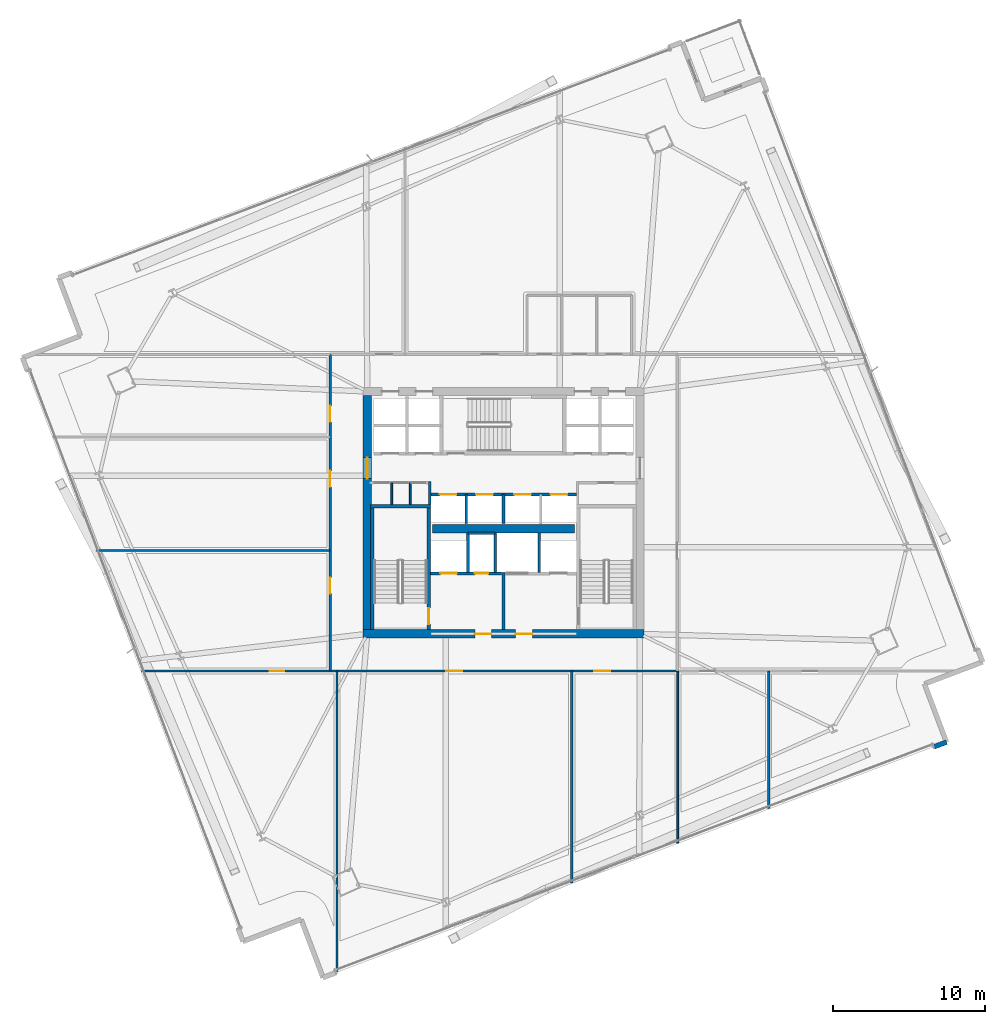
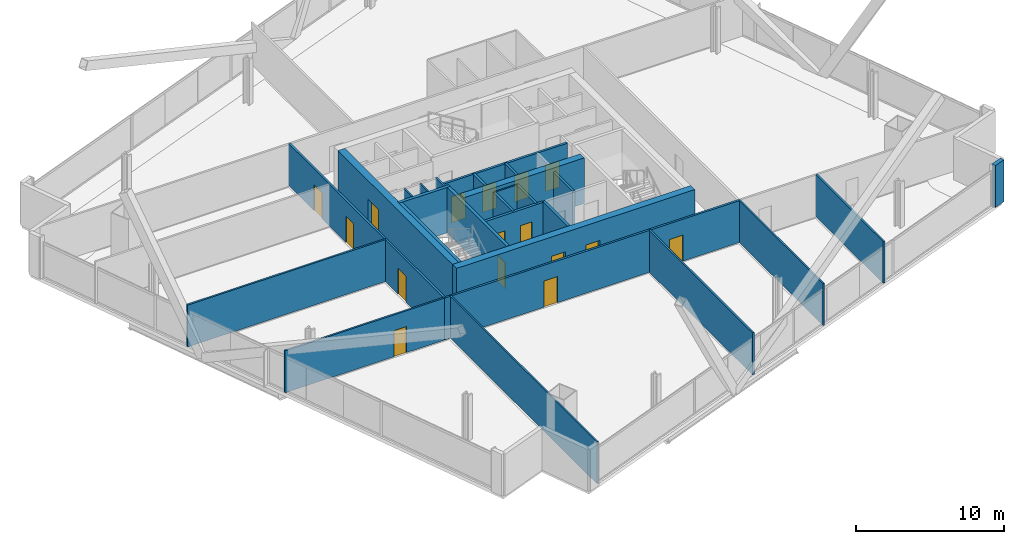
# One storey, part 29 of 37: 27 walls, 16 doors, 16 openings.
"""IFC4 building model written with IfcOpenShell, lengths in metres."""

from ifc_helpers import new_model, si_unit, direction, frame, frame_2d, origin, place, context, subcontext, project, spatial, rectangle, extrude, material, layer, layer_set, type_object, element, fill, save


model = new_model("IFC4")

# Units and contexts
model_context = context("Model", 3, precision=1e-05, world=origin(), true_north=direction((0.0, 1.0)))
body_context = subcontext(model_context, "Body", "Model", "MODEL_VIEW")
ifc_project = project(units=[si_unit("LENGTHUNIT", "METRE"), si_unit("AREAUNIT", "SQUARE_METRE"), si_unit("VOLUMEUNIT", "CUBIC_METRE"), si_unit("PLANEANGLEUNIT", "RADIAN"), si_unit("MASSUNIT", "GRAM", prefix="KILO")], contexts=[model_context])

# Site, building, storey
site_placement = place(None, origin())
site = spatial("IfcSite", under=ifc_project, at=site_placement, CompositionType="ELEMENT")
building_placement = place(site_placement, origin())
building = spatial("IfcBuilding", under=site, at=building_placement, Name="Haldenkirk Collegiate Tower", CompositionType="ELEMENT")
storey_placement = place(building_placement, frame((0.0, 0.0, 97.949951171875)))
storey = spatial("IfcBuildingStorey", under=building, at=storey_placement, Name="L23", CompositionType="ELEMENT", Elevation=97.949951171875)

# Wall, openings, doors
ifc_material_1 = material(Name="Concrete f'c 70 MPa", Category="concrete")
ifc_layer_1 = layer(ifc_material_1, 0.550048828125)
ifc_layer_set_1 = layer_set([ifc_layer_1], Name="Concrete f'c 70 MPa")
wall_type_1 = type_object("IfcWallType", Name="WL-CORE-550", PredefinedType="SHEAR", material=ifc_layer_set_1)
wall_1_placement = place(storey_placement, frame((26.72509765625, 18.0, 0.0), z_axis=(0.0, 0.0, 1.0), x_axis=(1.0, 0.0, 0.0)))
wall_1 = element("IfcWall", 1, at=wall_1_placement, inside=storey, type_object=wall_type_1, Name="L23 central core shear wall S", PredefinedType="SHEAR", context=body_context, shape_type="SweptSolid", body=[
    extrude(rectangle(XDim=18.5498046875, YDim=0.550048828125, at=frame_2d((9.27490234375, 0.0))), origin(), (0.0, 0.0, 1.0), 3.75),
])
opening_1_placement = place(wall_1_placement, frame((7.375, 0.0, 0.0)))
opening_1 = element("IfcOpeningElement", 2, at=opening_1_placement, cuts=wall_1, Name="Opening D-02", PredefinedType="OPENING", context=body_context, shape_type="SweptSolid", body=[
    extrude(rectangle(XDim=1.10009765625, YDim=2.14990234375, at=frame_2d((0.550048828125, 1.074951171875))), frame((0.0, 0.284912109375, 0.0), z_axis=(0.0, -1.0, 0.0), x_axis=(1.0, 0.0, 0.0)), (0.0, 0.0, 1.0), 0.570068359375),
])
opening_2_placement = place(wall_1_placement, frame((10.074951171875, 0.0, 0.0)))
opening_2 = element("IfcOpeningElement", 3, at=opening_2_placement, cuts=wall_1, Name="Opening D-02", PredefinedType="OPENING", context=body_context, shape_type="SweptSolid", body=[
    extrude(rectangle(XDim=1.10009765625, YDim=2.14990234375, at=frame_2d((0.550048828125, 1.074951171875))), frame((0.0, 0.284912109375, 0.0), z_axis=(0.0, -1.0, 0.0), x_axis=(1.0, 0.0, 0.0)), (0.0, 0.0, 1.0), 0.570068359375),
])
ifc_material_2 = material(Name="Galvanized fire-rated hollow steel door", Category="steel")
ifc_layer_2 = layer(ifc_material_2, 0.06005859375)
ifc_layer_set_2 = layer_set([ifc_layer_2], Name="Galvanized fire-rated hollow steel door")
door_type_1 = type_object("IfcDoorType", Name="DR-STAIR-FD90-1100", OperationType="NOTDEFINED", PredefinedType="DOOR", material=ifc_layer_set_2)
door_1_placement = place(opening_1_placement, origin())
door_1 = element("IfcDoor", 4, at=door_1_placement, inside=storey, type_object=door_type_1, Name="L23 Firefighting Lobby 1 door", OperationType="SINGLE_SWING_LEFT", OverallHeight=2.14990234375, OverallWidth=1.10009765625, PredefinedType="DOOR", context=body_context, shape_type="SweptSolid", body=[
    extrude(rectangle(XDim=1.10009765625, YDim=2.14990234375, at=frame_2d((0.550048828125, 1.074951171875))), frame((0.0, 0.02490234375, 0.0), z_axis=(0.0, -1.0, 0.0), x_axis=(1.0, 0.0, 0.0)), (0.0, 0.0, 1.0), 0.050048828125),
])
fill(opening_1, door_1)
door_2_placement = place(opening_2_placement, origin())
door_2 = element("IfcDoor", 5, at=door_2_placement, inside=storey, type_object=door_type_1, Name="L23 Firefighting Lobby 2 door", OperationType="SINGLE_SWING_RIGHT", OverallHeight=2.14990234375, OverallWidth=1.10009765625, PredefinedType="DOOR", context=body_context, shape_type="SweptSolid", body=[
    extrude(rectangle(XDim=1.10009765625, YDim=2.14990234375, at=frame_2d((0.550048828125, 1.074951171875))), frame((0.0, 0.02490234375, 0.0), z_axis=(0.0, -1.0, 0.0), x_axis=(1.0, 0.0, 0.0)), (0.0, 0.0, 1.0), 0.050048828125),
])
fill(opening_2, door_2)

# Wall, opening, door
wall_2_placement = place(storey_placement, frame((27.0, 18.27490234375, 0.0), z_axis=(0.0, 0.0, 1.0), x_axis=(0.0, 1.0, 0.0)))
wall_2 = element("IfcWall", 6, at=wall_2_placement, inside=storey, type_object=wall_type_1, Name="L23 central core shear wall W", PredefinedType="SHEAR", context=body_context, shape_type="SweptSolid", body=[
    extrude(rectangle(XDim=15.4501953125, YDim=0.550048828125, at=frame_2d((7.72509765625, 0.0))), origin(), (0.0, 0.0, 1.0), 3.75),
])
opening_3_placement = place(wall_2_placement, frame((9.965087890625, 0.0, 0.0)))
opening_3 = element("IfcOpeningElement", 7, at=opening_3_placement, cuts=wall_2, Name="Opening D-03", PredefinedType="OPENING", context=body_context, shape_type="SweptSolid", body=[
    extrude(rectangle(XDim=1.39990234375, YDim=2.199951171875, at=frame_2d((0.699951171875, 1.10009765625))), frame((0.0, 0.284912109375, 0.0), z_axis=(0.0, -1.0, 0.0), x_axis=(1.0, 0.0, 0.0)), (0.0, 0.0, 1.0), 0.570068359375),
])
ifc_layer_3 = layer(ifc_material_2, 0.06005859375)
ifc_layer_set_3 = layer_set([ifc_layer_3], Name="Galvanized fire-rated hollow steel door")
door_type_2 = type_object("IfcDoorType", Name="DR-LOBBY-FD90-1400", OperationType="NOTDEFINED", PredefinedType="DOOR", material=ifc_layer_set_3)
door_3_placement = place(opening_3_placement, origin())
door_3 = element("IfcDoor", 8, at=door_3_placement, inside=storey, type_object=door_type_2, Name="L23 west lift lobby portal", OperationType="DOUBLE_DOOR_SINGLE_SWING", OverallHeight=2.199951171875, OverallWidth=1.39990234375, PredefinedType="DOOR", context=body_context, shape_type="SweptSolid", body=[
    extrude(rectangle(XDim=1.39990234375, YDim=2.199951171875, at=frame_2d((0.699951171875, 1.10009765625))), frame((0.0, 0.02490234375, 0.0), z_axis=(0.0, -1.0, 0.0), x_axis=(1.0, 0.0, 0.0)), (0.0, 0.0, 1.0), 0.050048828125),
])
fill(opening_3, door_3)

# Walls
wall_3_placement = place(storey_placement, frame((31.31005859375, 24.949951171875, 0.0), z_axis=(0.0, 0.0, 1.0), x_axis=(1.0, 0.0, 0.0)))
element("IfcWall", 9, at=wall_3_placement, inside=storey, type_object=wall_type_1, Name="L23 central core spine shear wall", PredefinedType="SHEAR", context=body_context, shape_type="SweptSolid", body=[
    extrude(rectangle(XDim=9.3798828125, YDim=0.550048828125, at=frame_2d((4.68994140625, 0.0))), origin(), (0.0, 0.0, 1.0), 3.75),
])
ifc_material_3 = material(Name="Precast concrete f'c 40 MPa", Category="concrete")
ifc_layer_4 = layer(ifc_material_3, 0.320068359375)
ifc_layer_set_4 = layer_set([ifc_layer_4], Name="Precast concrete f'c 40 MPa")
wall_type_2 = type_object("IfcWallType", Name="WL-EXT-TWR-320", PredefinedType="STANDARD", material=ifc_layer_set_4)
wall_4_placement = place(storey_placement, frame((65.239990234375, 10.858154296875, 0.0), z_axis=(0.0, 0.0, 1.0), x_axis=(-0.935468108396, -0.353411117785, 0.0)))
element("IfcWall", 10, at=wall_4_placement, inside=storey, type_object=wall_type_2, Name="L23 precast corner pier SL", PredefinedType="STANDARD", context=body_context, shape_type="SweptSolid", body=[
    extrude(rectangle(XDim=0.900146484375, YDim=0.320068359375, at=frame_2d((0.4501953125, 0.0))), origin(), (0.0, 0.0, 1.0), 3.449951171875),
])
ifc_material_4 = material(Name="Acoustic fire-rated gypsum partition", Category="concrete")
ifc_layer_5 = layer(ifc_material_4, 0.159912109375)
ifc_layer_set_5 = layer_set([ifc_layer_5], Name="Acoustic fire-rated gypsum partition")
wall_type_3 = type_object("IfcWallType", Name="WL-INT-CORR-160", PredefinedType="PARTITIONING", material=ifc_layer_set_5)
wall_5_placement = place(storey_placement, frame((31.1201171875, 26.5400390625, 0.0), z_axis=(0.0, 0.0, 1.0), x_axis=(0.0, 1.0, 0.0)))
element("IfcWall", 11, at=wall_5_placement, inside=storey, type_object=wall_type_3, Name="L23 interior partition IW-L23-VCSW-E", PredefinedType="PARTITIONING", context=body_context, shape_type="SweptSolid", body=[
    extrude(rectangle(XDim=1.510009765625, YDim=0.159912109375, at=frame_2d((0.7548828125, 0.0))), origin(), (0.0, 0.0, 1.0), 3.449951171875),
])

# Wall, openings, doors
wall_6_placement = place(storey_placement, frame((24.5, 15.550048828125, 0.0), z_axis=(0.0, 0.0, 1.0), x_axis=(1.0, 0.0, 0.0)))
wall_6 = element("IfcWall", 12, at=wall_6_placement, inside=storey, type_object=wall_type_3, Name="L23 interior partition IW-L23-CS", PredefinedType="PARTITIONING", context=body_context, shape_type="SweptSolid", body=[
    extrude(rectangle(XDim=23.0, YDim=0.159912109375, at=frame_2d((11.5, 0.0))), origin(), (0.0, 0.0, 1.0), 3.449951171875),
])
opening_4_placement = place(wall_6_placement, frame((7.72509765625, 0.0, 0.0)))
opening_4 = element("IfcOpeningElement", 13, at=opening_4_placement, cuts=wall_6, Name="Opening D-09", PredefinedType="OPENING", context=body_context, shape_type="SweptSolid", body=[
    extrude(rectangle(XDim=1.050048828125, YDim=2.14990234375, at=frame_2d((0.52490234375, 1.074951171875))), frame((0.0, 0.08984375, 0.0), z_axis=(0.0, -1.0, 0.0), x_axis=(1.0, 0.0, 0.0)), (0.0, 0.0, 1.0), 0.179931640625),
])
opening_5_placement = place(wall_6_placement, frame((17.489013671875, 0.0, 0.0)))
opening_5 = element("IfcOpeningElement", 14, at=opening_5_placement, cuts=wall_6, Name="Opening D-09", PredefinedType="OPENING", context=body_context, shape_type="SweptSolid", body=[
    extrude(rectangle(XDim=1.050048828125, YDim=2.14990234375, at=frame_2d((0.52490234375, 1.074951171875))), frame((0.0, 0.08984375, 0.0), z_axis=(0.0, -1.0, 0.0), x_axis=(1.0, 0.0, 0.0)), (0.0, 0.0, 1.0), 0.179931640625),
])
ifc_material_5 = material(Name="Solid-core architectural oak fire door", Category="wood")
ifc_layer_6 = layer(ifc_material_5, 0.06005859375)
ifc_layer_set_6 = layer_set([ifc_layer_6], Name="Solid-core architectural oak fire door")
door_type_3 = type_object("IfcDoorType", Name="DR-INT-FD60-1050", OperationType="NOTDEFINED", PredefinedType="DOOR", material=ifc_layer_set_6)
door_4_placement = place(opening_4_placement, origin())
door_4 = element("IfcDoor", 15, at=door_4_placement, inside=storey, type_object=door_type_3, Name="L23 Research Office 2 door", OperationType="SINGLE_SWING_RIGHT", OverallHeight=2.14990234375, OverallWidth=1.050048828125, PredefinedType="DOOR", context=body_context, shape_type="SweptSolid", body=[
    extrude(rectangle(XDim=1.050048828125, YDim=2.14990234375, at=frame_2d((0.52490234375, 1.074951171875))), frame((0.0, 0.02490234375, 0.0), z_axis=(0.0, -1.0, 0.0), x_axis=(1.0, 0.0, 0.0)), (0.0, 0.0, 1.0), 0.050048828125),
])
fill(opening_4, door_4)
door_5_placement = place(opening_5_placement, origin())
door_5 = element("IfcDoor", 16, at=door_5_placement, inside=storey, type_object=door_type_3, Name="L23 Senior Fellow Office 3 door", OperationType="SINGLE_SWING_LEFT", OverallHeight=2.14990234375, OverallWidth=1.050048828125, PredefinedType="DOOR", context=body_context, shape_type="SweptSolid", body=[
    extrude(rectangle(XDim=1.050048828125, YDim=2.14990234375, at=frame_2d((0.52490234375, 1.074951171875))), frame((0.0, 0.02490234375, 0.0), z_axis=(0.0, -1.0, 0.0), x_axis=(1.0, 0.0, 0.0)), (0.0, 0.0, 1.0), 0.050048828125),
])
fill(opening_5, door_5)

wall_7_placement = place(storey_placement, frame((24.550048828125, 15.550048828125, 0.0), z_axis=(0.0, 0.0, 1.0), x_axis=(0.0, 1.0, 0.0)))
wall_7 = element("IfcWall", 17, at=wall_7_placement, inside=storey, type_object=wall_type_3, Name="L23 interior partition IW-L23-CW", PredefinedType="PARTITIONING", context=body_context, shape_type="SweptSolid", body=[
    extrude(rectangle(XDim=20.89990234375, YDim=0.159912109375, at=frame_2d((10.449951171875, 0.0))), origin(), (0.0, 0.0, 1.0), 3.449951171875),
])
opening_6_placement = place(wall_7_placement, frame((5.10693359375, 0.0, 0.0)))
opening_6 = element("IfcOpeningElement", 18, at=opening_6_placement, cuts=wall_7, Name="Opening D-09", PredefinedType="OPENING", context=body_context, shape_type="SweptSolid", body=[
    extrude(rectangle(XDim=1.050048828125, YDim=2.14990234375, at=frame_2d((0.52490234375, 1.074951171875))), frame((0.0, 0.08984375, 0.0), z_axis=(0.0, -1.0, 0.0), x_axis=(1.0, 0.0, 0.0)), (0.0, 0.0, 1.0), 0.179931640625),
])
opening_7_placement = place(wall_7_placement, frame((12.155029296875, 0.0, 0.0)))
opening_7 = element("IfcOpeningElement", 19, at=opening_7_placement, cuts=wall_7, Name="Opening D-09", PredefinedType="OPENING", context=body_context, shape_type="SweptSolid", body=[
    extrude(rectangle(XDim=1.050048828125, YDim=2.14990234375, at=frame_2d((0.52490234375, 1.074951171875))), frame((0.0, 0.08984375, 0.0), z_axis=(0.0, -1.0, 0.0), x_axis=(1.0, 0.0, 0.0)), (0.0, 0.0, 1.0), 0.179931640625),
])
opening_8_placement = place(wall_7_placement, frame((16.443115234375, 0.0, 0.0)))
opening_8 = element("IfcOpeningElement", 20, at=opening_8_placement, cuts=wall_7, Name="Opening D-09", PredefinedType="OPENING", context=body_context, shape_type="SweptSolid", body=[
    extrude(rectangle(XDim=1.050048828125, YDim=2.14990234375, at=frame_2d((0.52490234375, 1.074951171875))), frame((0.0, 0.08984375, 0.0), z_axis=(0.0, -1.0, 0.0), x_axis=(1.0, 0.0, 0.0)), (0.0, 0.0, 1.0), 0.179931640625),
])
door_6_placement = place(opening_6_placement, origin())
door_6 = element("IfcDoor", 21, at=door_6_placement, inside=storey, type_object=door_type_3, Name="L23 Research Office 8 door", OperationType="SINGLE_SWING_RIGHT", OverallHeight=2.14990234375, OverallWidth=1.050048828125, PredefinedType="DOOR", context=body_context, shape_type="SweptSolid", body=[
    extrude(rectangle(XDim=1.050048828125, YDim=2.14990234375, at=frame_2d((0.52490234375, 1.074951171875))), frame((0.0, 0.02490234375, 0.0), z_axis=(0.0, -1.0, 0.0), x_axis=(1.0, 0.0, 0.0)), (0.0, 0.0, 1.0), 0.050048828125),
])
fill(opening_6, door_6)
door_7_placement = place(opening_7_placement, origin())
door_7 = element("IfcDoor", 22, at=door_7_placement, inside=storey, type_object=door_type_3, Name="L23 Senior Fellow Office 9 door", OperationType="SINGLE_SWING_LEFT", OverallHeight=2.14990234375, OverallWidth=1.050048828125, PredefinedType="DOOR", context=body_context, shape_type="SweptSolid", body=[
    extrude(rectangle(XDim=1.050048828125, YDim=2.14990234375, at=frame_2d((0.52490234375, 1.074951171875))), frame((0.0, 0.02490234375, 0.0), z_axis=(0.0, -1.0, 0.0), x_axis=(1.0, 0.0, 0.0)), (0.0, 0.0, 1.0), 0.050048828125),
])
fill(opening_7, door_7)
door_8_placement = place(opening_8_placement, origin())
door_8 = element("IfcDoor", 23, at=door_8_placement, inside=storey, type_object=door_type_3, Name="L23 Graduate Seminar Room 10 door", OperationType="SINGLE_SWING_RIGHT", OverallHeight=2.14990234375, OverallWidth=1.050048828125, PredefinedType="DOOR", context=body_context, shape_type="SweptSolid", body=[
    extrude(rectangle(XDim=1.050048828125, YDim=2.14990234375, at=frame_2d((0.52490234375, 1.074951171875))), frame((0.0, 0.02490234375, 0.0), z_axis=(0.0, -1.0, 0.0), x_axis=(1.0, 0.0, 0.0)), (0.0, 0.0, 1.0), 0.050048828125),
])
fill(opening_8, door_8)

# Wall, opening, door
ifc_layer_7 = layer(ifc_material_4, 0.139892578125)
ifc_layer_set_7 = layer_set([ifc_layer_7], Name="Acoustic fire-rated gypsum partition")
wall_type_4 = type_object("IfcWallType", Name="WL-INT-DIV-140", PredefinedType="PARTITIONING", material=ifc_layer_set_7)
wall_8_placement = place(storey_placement, frame((12.09033203125, 15.550048828125, 0.0), z_axis=(0.0, 0.0, 1.0), x_axis=(1.0, 0.0, 0.0)))
wall_8 = element("IfcWall", 24, at=wall_8_placement, inside=storey, type_object=wall_type_4, Name="L23 interior partition IW-L23-BWS", PredefinedType="PARTITIONING", context=body_context, shape_type="SweptSolid", body=[
    extrude(rectangle(XDim=12.459716796875, YDim=0.139892578125, at=frame_2d((6.22998046875, 0.0))), origin(), (0.0, 0.0, 1.0), 3.449951171875),
])
opening_9_placement = place(wall_8_placement, frame((8.483642578125, 0.0, 0.0)))
opening_9 = element("IfcOpeningElement", 25, at=opening_9_placement, cuts=wall_8, Name="Opening D-12", PredefinedType="OPENING", context=body_context, shape_type="SweptSolid", body=[
    extrude(rectangle(XDim=0.949951171875, YDim=2.14990234375, at=frame_2d((0.47509765625, 1.074951171875))), frame((0.0, 0.079833984375, 0.0), z_axis=(0.0, -1.0, 0.0), x_axis=(1.0, 0.0, 0.0)), (0.0, 0.0, 1.0), 0.159912109375),
])
ifc_layer_8 = layer(ifc_material_5, 0.06005859375)
ifc_layer_set_8 = layer_set([ifc_layer_8], Name="Solid-core architectural oak fire door")
door_type_4 = type_object("IfcDoorType", Name="DR-INT-STD-950", OperationType="NOTDEFINED", PredefinedType="DOOR", material=ifc_layer_set_8)
door_9_placement = place(opening_9_placement, origin())
door_9 = element("IfcDoor", 26, at=door_9_placement, inside=storey, type_object=door_type_4, Name="L23 Faculty Office 1 door", OperationType="SINGLE_SWING_LEFT", OverallHeight=2.14990234375, OverallWidth=0.949951171875, PredefinedType="DOOR", context=body_context, shape_type="SweptSolid", body=[
    extrude(rectangle(XDim=0.949951171875, YDim=2.14990234375, at=frame_2d((0.47509765625, 1.074951171875))), frame((0.0, 0.02490234375, 0.0), z_axis=(0.0, -1.0, 0.0), x_axis=(1.0, 0.0, 0.0)), (0.0, 0.0, 1.0), 0.050048828125),
])
fill(opening_9, door_9)

# Walls
wall_9_placement = place(storey_placement, frame((40.5, 1.552490234375, 0.0), z_axis=(0.0, 0.0, 1.0), x_axis=(0.0, 1.0, 0.0)))
element("IfcWall", 27, at=wall_9_placement, inside=storey, type_object=wall_type_4, Name="L23 interior partition IW-L23-RS2", PredefinedType="PARTITIONING", context=body_context, shape_type="SweptSolid", body=[
    extrude(rectangle(XDim=13.99755859375, YDim=0.139892578125, at=frame_2d((6.998779296875, 0.0))), origin(), (0.0, 0.0, 1.0), 3.449951171875),
])
wall_10_placement = place(storey_placement, frame((53.5, 6.464599609375, 0.0), z_axis=(0.0, 0.0, 1.0), x_axis=(0.0, 1.0, 0.0)))
element("IfcWall", 28, at=wall_10_placement, inside=storey, type_object=wall_type_4, Name="L23 interior partition IW-L23-RS4", PredefinedType="PARTITIONING", context=body_context, shape_type="SweptSolid", body=[
    extrude(rectangle(XDim=9.08544921875, YDim=0.139892578125, at=frame_2d((4.542724609375, 0.0))), origin(), (0.0, 0.0, 1.0), 3.449951171875),
])
wall_11_placement = place(storey_placement, frame((9.086181640625, 23.5, 0.0), z_axis=(0.0, 0.0, 1.0), x_axis=(1.0, 0.0, 0.0)))
element("IfcWall", 29, at=wall_11_placement, inside=storey, type_object=wall_type_4, Name="L23 interior partition IW-L23-RW1", PredefinedType="PARTITIONING", context=body_context, shape_type="SweptSolid", body=[
    extrude(rectangle(XDim=15.4638671875, YDim=0.139892578125, at=frame_2d((7.73193359375, 0.0))), origin(), (0.0, 0.0, 1.0), 3.449951171875),
])
ifc_material_6 = material(Name="Fire-rated gypsum shaftboard assembly", Category="concrete")
ifc_layer_9 = layer(ifc_material_6, 0.179931640625)
ifc_layer_set_9 = layer_set([ifc_layer_9], Name="Fire-rated gypsum shaftboard assembly")
wall_type_5 = type_object("IfcWallType", Name="WL-INT-SHAFT-180", PredefinedType="PARTITIONING", material=ifc_layer_set_9)
for number, where, z_axis, x_axis, name in (
    (30, (33.64990234375, 22.050048828125, 0.0), (0.0, 0.0, 1.0), (0.0, 1.0, 0.0), "L23 interior partition IW-L23-FL1E"),
    (31, (35.449951171875, 22.050048828125, 0.0), (0.0, 0.0, 1.0), (0.0, 1.0, 0.0), "L23 interior partition IW-L23-GL1W"),
):
    element("IfcWall", number, at=place(storey_placement, frame(where, z_axis=z_axis, x_axis=x_axis)), inside=storey, type_object=wall_type_5, Name=name, PredefinedType="PARTITIONING", context=body_context, shape_type="SweptSolid", body=[
        extrude(rectangle(XDim=2.599853515625, YDim=0.179931640625, at=frame_2d((1.2998046875, 0.0))), origin(), (0.0, 0.0, 1.0), 3.449951171875),
    ])
wall_12_placement = place(storey_placement, frame((33.64990234375, 24.64990234375, 0.0), z_axis=(0.0, 0.0, 1.0), x_axis=(1.0, 0.0, 0.0)))
element("IfcWall", 32, at=wall_12_placement, inside=storey, type_object=wall_type_5, Name="L23 interior partition IW-L23-RSRN", PredefinedType="PARTITIONING", context=body_context, shape_type="SweptSolid", body=[
    extrude(rectangle(XDim=1.800048828125, YDim=0.179931640625, at=frame_2d((0.89990234375, 0.0))), origin(), (0.0, 0.0, 1.0), 3.449951171875),
])
wall_13_placement = place(storey_placement, frame((38.35009765625, 22.050048828125, 0.0), z_axis=(0.0, 0.0, 1.0), x_axis=(0.0, 1.0, 0.0)))
element("IfcWall", 33, at=wall_13_placement, inside=storey, type_object=wall_type_5, Name="L23 interior partition IW-L23-GL1E", PredefinedType="PARTITIONING", context=body_context, shape_type="SweptSolid", body=[
    extrude(rectangle(XDim=2.599853515625, YDim=0.179931640625, at=frame_2d((1.2998046875, 0.0))), origin(), (0.0, 0.0, 1.0), 3.449951171875),
])

# Wall, openings, doors
wall_14_placement = place(storey_placement, frame((31.199951171875, 27.199951171875, 0.0), z_axis=(0.0, 0.0, 1.0), x_axis=(1.0, 0.0, 0.0)))
wall_14 = element("IfcWall", 34, at=wall_14_placement, inside=storey, type_object=wall_type_5, Name="L23 interior partition IW-L23-PHN", PredefinedType="PARTITIONING", context=body_context, shape_type="SweptSolid", body=[
    extrude(rectangle(XDim=9.60009765625, YDim=0.179931640625, at=frame_2d((4.800048828125, 0.0))), origin(), (0.0, 0.0, 1.0), 3.449951171875),
])
opening_10_placement = place(wall_14_placement, frame((0.590087890625, 0.0, 0.0)))
opening_10 = element("IfcOpeningElement", 35, at=opening_10_placement, cuts=wall_14, Name="Opening LD-11", PredefinedType="OPENING", context=body_context, shape_type="SweptSolid", body=[
    extrude(rectangle(XDim=1.10009765625, YDim=2.14990234375, at=frame_2d((0.550048828125, 1.074951171875))), frame((0.0, 0.099853515625, 0.0), z_axis=(0.0, -1.0, 0.0), x_axis=(1.0, 0.0, 0.0)), (0.0, 0.0, 1.0), 0.199951171875),
])
opening_11_placement = place(wall_14_placement, frame((2.989990234375, 0.0, 0.0)))
opening_11 = element("IfcOpeningElement", 36, at=opening_11_placement, cuts=wall_14, Name="Opening LD-11", PredefinedType="OPENING", context=body_context, shape_type="SweptSolid", body=[
    extrude(rectangle(XDim=1.10009765625, YDim=2.14990234375, at=frame_2d((0.550048828125, 1.074951171875))), frame((0.0, 0.099853515625, 0.0), z_axis=(0.0, -1.0, 0.0), x_axis=(1.0, 0.0, 0.0)), (0.0, 0.0, 1.0), 0.199951171875),
])
opening_12_placement = place(wall_14_placement, frame((5.510009765625, 0.0, 0.0)))
opening_12 = element("IfcOpeningElement", 37, at=opening_12_placement, cuts=wall_14, Name="Opening LD-11", PredefinedType="OPENING", context=body_context, shape_type="SweptSolid", body=[
    extrude(rectangle(XDim=1.10009765625, YDim=2.14990234375, at=frame_2d((0.550048828125, 1.074951171875))), frame((0.0, 0.099853515625, 0.0), z_axis=(0.0, -1.0, 0.0), x_axis=(1.0, 0.0, 0.0)), (0.0, 0.0, 1.0), 0.199951171875),
])
opening_13_placement = place(wall_14_placement, frame((7.909912109375, 0.0, 0.0)))
opening_13 = element("IfcOpeningElement", 38, at=opening_13_placement, cuts=wall_14, Name="Opening LD-11", PredefinedType="OPENING", context=body_context, shape_type="SweptSolid", body=[
    extrude(rectangle(XDim=1.10009765625, YDim=2.14990234375, at=frame_2d((0.550048828125, 1.074951171875))), frame((0.0, 0.099853515625, 0.0), z_axis=(0.0, -1.0, 0.0), x_axis=(1.0, 0.0, 0.0)), (0.0, 0.0, 1.0), 0.199951171875),
])
ifc_material_7 = material(Name="Brushed architectural stainless steel", Category="steel")
ifc_layer_10 = layer(ifc_material_7, 0.06005859375)
ifc_layer_set_10 = layer_set([ifc_layer_10], Name="Brushed architectural stainless steel")
door_type_5 = type_object("IfcDoorType", Name="LD-PASS-1100", OperationType="NOTDEFINED", PredefinedType="DOOR", material=ifc_layer_set_10)
door_10_placement = place(opening_10_placement, origin())
door_10 = element("IfcDoor", 39, at=door_10_placement, inside=storey, type_object=door_type_5, Name="L23 Elevator PH1 sliding landing door", OperationType="SLIDING_TO_LEFT", OverallHeight=2.14990234375, OverallWidth=1.10009765625, PredefinedType="DOOR", context=body_context, shape_type="SweptSolid", body=[
    extrude(rectangle(XDim=1.10009765625, YDim=2.14990234375, at=frame_2d((0.550048828125, 1.074951171875))), frame((0.0, 0.02490234375, 0.0), z_axis=(0.0, -1.0, 0.0), x_axis=(1.0, 0.0, 0.0)), (0.0, 0.0, 1.0), 0.050048828125),
])
fill(opening_10, door_10)
door_11_placement = place(opening_11_placement, origin())
door_11 = element("IfcDoor", 40, at=door_11_placement, inside=storey, type_object=door_type_5, Name="L23 Elevator PH2 sliding landing door", OperationType="SLIDING_TO_LEFT", OverallHeight=2.14990234375, OverallWidth=1.10009765625, PredefinedType="DOOR", context=body_context, shape_type="SweptSolid", body=[
    extrude(rectangle(XDim=1.10009765625, YDim=2.14990234375, at=frame_2d((0.550048828125, 1.074951171875))), frame((0.0, 0.02490234375, 0.0), z_axis=(0.0, -1.0, 0.0), x_axis=(1.0, 0.0, 0.0)), (0.0, 0.0, 1.0), 0.050048828125),
])
fill(opening_11, door_11)
door_12_placement = place(opening_12_placement, origin())
door_12 = element("IfcDoor", 41, at=door_12_placement, inside=storey, type_object=door_type_5, Name="L23 Elevator PH3 sliding landing door", OperationType="SLIDING_TO_LEFT", OverallHeight=2.14990234375, OverallWidth=1.10009765625, PredefinedType="DOOR", context=body_context, shape_type="SweptSolid", body=[
    extrude(rectangle(XDim=1.10009765625, YDim=2.14990234375, at=frame_2d((0.550048828125, 1.074951171875))), frame((0.0, 0.02490234375, 0.0), z_axis=(0.0, -1.0, 0.0), x_axis=(1.0, 0.0, 0.0)), (0.0, 0.0, 1.0), 0.050048828125),
])
fill(opening_12, door_12)
door_13_placement = place(opening_13_placement, origin())
door_13 = element("IfcDoor", 42, at=door_13_placement, inside=storey, type_object=door_type_5, Name="L23 Elevator PH4 sliding landing door", OperationType="SLIDING_TO_LEFT", OverallHeight=2.14990234375, OverallWidth=1.10009765625, PredefinedType="DOOR", context=body_context, shape_type="SweptSolid", body=[
    extrude(rectangle(XDim=1.10009765625, YDim=2.14990234375, at=frame_2d((0.550048828125, 1.074951171875))), frame((0.0, 0.02490234375, 0.0), z_axis=(0.0, -1.0, 0.0), x_axis=(1.0, 0.0, 0.0)), (0.0, 0.0, 1.0), 0.050048828125),
])
fill(opening_13, door_13)

# Walls
for number, where, z_axis, x_axis, name in (
    (43, (33.5400390625, 25.300048828125, 0.0), (0.0, 0.0, 1.0), (0.0, 1.0, 0.0), "L23 interior partition IW-L23-PHV1"),
    (44, (36.0, 25.300048828125, 0.0), (0.0, 0.0, 1.0), (0.0, 1.0, 0.0), "L23 interior partition IW-L23-PHV2"),
):
    element("IfcWall", number, at=place(storey_placement, frame(where, z_axis=z_axis, x_axis=x_axis)), inside=storey, type_object=wall_type_5, Name=name, PredefinedType="PARTITIONING", context=body_context, shape_type="SweptSolid", body=[
        extrude(rectangle(XDim=1.89990234375, YDim=0.179931640625, at=frame_2d((0.949951171875, 0.0))), origin(), (0.0, 0.0, 1.0), 3.449951171875),
    ])
ifc_layer_11 = layer(ifc_material_6, 0.199951171875)
ifc_layer_set_11 = layer_set([ifc_layer_11], Name="Fire-rated gypsum shaftboard assembly")
wall_type_6 = type_object("IfcWallType", Name="WL-INT-SHAFT-200", PredefinedType="PARTITIONING", material=ifc_layer_set_11)
wall_15_placement = place(storey_placement, frame((36.0, 18.280029296875, 0.0), z_axis=(0.0, 0.0, 1.0), x_axis=(0.0, 1.0, 0.0)))
element("IfcWall", 45, at=wall_15_placement, inside=storey, type_object=wall_type_6, Name="L23 interior partition IW-L23-FFLM", PredefinedType="PARTITIONING", context=body_context, shape_type="SweptSolid", body=[
    extrude(rectangle(XDim=3.77001953125, YDim=0.199951171875, at=frame_2d((1.885009765625, 0.0))), origin(), (0.0, 0.0, 1.0), 3.449951171875),
])

# Wall, openings, doors
wall_16_placement = place(storey_placement, frame((31.18994140625, 22.0, 0.0), z_axis=(0.0, 0.0, 1.0), x_axis=(1.0, 0.0, 0.0)))
wall_16 = element("IfcWall", 46, at=wall_16_placement, inside=storey, type_object=wall_type_6, Name="L23 interior partition IW-L23-FFL1N", PredefinedType="PARTITIONING", context=body_context, shape_type="SweptSolid", body=[
    extrude(rectangle(XDim=4.68994140625, YDim=0.199951171875, at=frame_2d((2.344970703125, 0.0))), origin(), (0.0, 0.0, 1.0), 3.449951171875),
])
opening_14_placement = place(wall_16_placement, frame((2.909912109375, 0.0, 0.0)))
opening_14 = element("IfcOpeningElement", 47, at=opening_14_placement, cuts=wall_16, Name="Opening D-06", PredefinedType="OPENING", context=body_context, shape_type="SweptSolid", body=[
    extrude(rectangle(XDim=0.89990234375, YDim=2.14990234375, at=frame_2d((0.449951171875, 1.074951171875))), frame((0.0, 0.10986328125, 0.0), z_axis=(0.0, -1.0, 0.0), x_axis=(1.0, 0.0, 0.0)), (0.0, 0.0, 1.0), 0.219970703125),
])
opening_15_placement = place(wall_16_placement, frame((0.635009765625, 0.0, 0.0)))
opening_15 = element("IfcOpeningElement", 48, at=opening_15_placement, cuts=wall_16, Name="Opening LD-12", PredefinedType="OPENING", context=body_context, shape_type="SweptSolid", body=[
    extrude(rectangle(XDim=1.10009765625, YDim=2.14990234375, at=frame_2d((0.550048828125, 1.074951171875))), frame((0.0, 0.10986328125, 0.0), z_axis=(0.0, -1.0, 0.0), x_axis=(1.0, 0.0, 0.0)), (0.0, 0.0, 1.0), 0.219970703125),
])
ifc_layer_12 = layer(ifc_material_2, 0.06005859375)
ifc_layer_set_12 = layer_set([ifc_layer_12], Name="Galvanized fire-rated hollow steel door")
door_type_6 = type_object("IfcDoorType", Name="DR-INT-FD90-900", OperationType="NOTDEFINED", PredefinedType="DOOR", material=ifc_layer_set_12)
door_14_placement = place(opening_14_placement, origin())
door_14 = element("IfcDoor", 49, at=door_14_placement, inside=storey, type_object=door_type_6, Name="L23 electrical riser door", OperationType="SINGLE_SWING_LEFT", OverallHeight=2.14990234375, OverallWidth=0.89990234375, PredefinedType="DOOR", context=body_context, shape_type="SweptSolid", body=[
    extrude(rectangle(XDim=0.89990234375, YDim=2.14990234375, at=frame_2d((0.449951171875, 1.074951171875))), frame((0.0, 0.02490234375, 0.0), z_axis=(0.0, -1.0, 0.0), x_axis=(1.0, 0.0, 0.0)), (0.0, 0.0, 1.0), 0.050048828125),
])
fill(opening_14, door_14)
ifc_layer_13 = layer(ifc_material_7, 0.06005859375)
ifc_layer_set_13 = layer_set([ifc_layer_13], Name="Brushed architectural stainless steel")
door_type_7 = type_object("IfcDoorType", Name="LD-FIRE-1100", OperationType="NOTDEFINED", PredefinedType="DOOR", material=ifc_layer_set_13)
door_15_placement = place(opening_15_placement, origin())
door_15 = element("IfcDoor", 50, at=door_15_placement, inside=storey, type_object=door_type_7, Name="L23 Elevator FL1 sliding landing door", OperationType="SLIDING_TO_LEFT", OverallHeight=2.14990234375, OverallWidth=1.10009765625, PredefinedType="DOOR", context=body_context, shape_type="SweptSolid", body=[
    extrude(rectangle(XDim=1.10009765625, YDim=2.14990234375, at=frame_2d((0.550048828125, 1.074951171875))), frame((0.0, 0.02490234375, 0.0), z_axis=(0.0, -1.0, 0.0), x_axis=(1.0, 0.0, 0.0)), (0.0, 0.0, 1.0), 0.050048828125),
])
fill(opening_15, door_15)

# Walls
ifc_layer_14 = layer(ifc_material_4, 0.1201171875)
ifc_layer_set_14 = layer_set([ifc_layer_14], Name="Acoustic fire-rated gypsum partition")
wall_type_7 = type_object("IfcWallType", Name="WL-INT-WET-120", PredefinedType="PARTITIONING", material=ifc_layer_set_14)
for number, where, z_axis, x_axis, name in (
    (51, (28.6201171875, 26.5400390625, 0.0), (0.0, 0.0, 1.0), (0.0, 1.0, 0.0), "L23 interior partition IW-L23-VCSW-M1"),
    (52, (29.840087890625, 26.5400390625, 0.0), (0.0, 0.0, 1.0), (0.0, 1.0, 0.0), "L23 interior partition IW-L23-VCSW-M2"),
):
    element("IfcWall", number, at=place(storey_placement, frame(where, z_axis=z_axis, x_axis=x_axis)), inside=storey, type_object=wall_type_7, Name=name, PredefinedType="PARTITIONING", context=body_context, shape_type="SweptSolid", body=[
        extrude(rectangle(XDim=1.43994140625, YDim=0.1201171875, at=frame_2d((0.719970703125, 0.0))), origin(), (0.0, 0.0, 1.0), 3.449951171875),
    ])
wall_17_placement = place(storey_placement, frame((25.0, -4.3046875, 0.0), z_axis=(0.0, 0.0, 1.0), x_axis=(0.0, 1.0, 0.0)))
element("IfcWall", 53, at=wall_17_placement, inside=storey, type_object=wall_type_7, Name="L23 interior partition IW-L23-RS1", PredefinedType="PARTITIONING", context=body_context, shape_type="SweptSolid", body=[
    extrude(rectangle(XDim=19.854736328125, YDim=0.1201171875, at=frame_2d((9.92724609375, 0.0))), origin(), (0.0, 0.0, 1.0), 3.449951171875),
])
wall_18_placement = place(storey_placement, frame((47.5, 4.197509765625, 0.0), z_axis=(0.0, 0.0, 1.0), x_axis=(0.0, 1.0, 0.0)))
element("IfcWall", 54, at=wall_18_placement, inside=storey, type_object=wall_type_7, Name="L23 interior partition IW-L23-RS3", PredefinedType="PARTITIONING", context=body_context, shape_type="SweptSolid", body=[
    extrude(rectangle(XDim=11.3525390625, YDim=0.1201171875, at=frame_2d((5.67626953125, 0.0))), origin(), (0.0, 0.0, 1.0), 3.449951171875),
])

# Wall, opening, door
ifc_material_8 = material(Name="Concrete f'c 55 MPa", Category="concrete")
ifc_layer_15 = layer(ifc_material_8, 0.239990234375)
ifc_layer_set_15 = layer_set([ifc_layer_15], Name="Concrete f'c 55 MPa")
wall_type_8 = type_object("IfcWallType", Name="WL-SHAFT-240", PredefinedType="SHEAR", material=ifc_layer_set_15)
wall_19_placement = place(storey_placement, frame((31.070068359375, 18.280029296875, 0.0), z_axis=(0.0, 0.0, 1.0), x_axis=(0.0, 1.0, 0.0)))
wall_19 = element("IfcWall", 55, at=wall_19_placement, inside=storey, type_object=wall_type_8, Name="L23 stair shaft shear wall SW-L23-ST1E", PredefinedType="SHEAR", context=body_context, shape_type="SweptSolid", body=[
    extrude(rectangle(XDim=8.260009765625, YDim=0.239990234375, at=frame_2d((4.1298828125, 0.0))), origin(), (0.0, 0.0, 1.0), 3.75),
])
opening_16_placement = place(wall_19_placement, frame((0.364990234375, 0.0, 0.0)))
opening_16 = element("IfcOpeningElement", 56, at=opening_16_placement, cuts=wall_19, Name="Opening D-01", PredefinedType="OPENING", context=body_context, shape_type="SweptSolid", body=[
    extrude(rectangle(XDim=1.050048828125, YDim=2.14990234375, at=frame_2d((0.52490234375, 1.074951171875))), frame((0.0, 0.1298828125, 0.0), z_axis=(0.0, -1.0, 0.0), x_axis=(1.0, 0.0, 0.0)), (0.0, 0.0, 1.0), 0.260009765625),
])
ifc_layer_16 = layer(ifc_material_2, 0.06005859375)
ifc_layer_set_16 = layer_set([ifc_layer_16], Name="Galvanized fire-rated hollow steel door")
door_type_8 = type_object("IfcDoorType", Name="DR-STAIR-FD90-1050", OperationType="NOTDEFINED", PredefinedType="DOOR", material=ifc_layer_set_16)
door_16_placement = place(opening_16_placement, origin())
door_16 = element("IfcDoor", 57, at=door_16_placement, inside=storey, type_object=door_type_8, Name="L23 Stair 1 door", OperationType="SINGLE_SWING_LEFT", OverallHeight=2.14990234375, OverallWidth=1.050048828125, PredefinedType="DOOR", context=body_context, shape_type="SweptSolid", body=[
    extrude(rectangle(XDim=1.050048828125, YDim=2.14990234375, at=frame_2d((0.52490234375, 1.074951171875))), frame((0.0, 0.02490234375, 0.0), z_axis=(0.0, -1.0, 0.0), x_axis=(1.0, 0.0, 0.0)), (0.0, 0.0, 1.0), 0.050048828125),
])
fill(opening_16, door_16)

# Walls
wall_20_placement = place(storey_placement, frame((27.2099609375, 26.419921875, 0.0), z_axis=(0.0, 0.0, 1.0), x_axis=(1.0, 0.0, 0.0)))
element("IfcWall", 58, at=wall_20_placement, inside=storey, type_object=wall_type_8, Name="L23 stair shaft shear wall SW-L23-ST1N", PredefinedType="SHEAR", context=body_context, shape_type="SweptSolid", body=[
    extrude(rectangle(XDim=3.97998046875, YDim=0.239990234375, at=frame_2d((1.989990234375, 0.0))), origin(), (0.0, 0.0, 1.0), 3.75),
])
wall_21_placement = place(storey_placement, frame((27.330078125, 18.280029296875, 0.0), z_axis=(0.0, 0.0, 1.0), x_axis=(0.0, 1.0, 0.0)))
element("IfcWall", 59, at=wall_21_placement, inside=storey, type_object=wall_type_8, Name="L23 stair shaft shear wall SW-L23-ST1W", PredefinedType="SHEAR", context=body_context, shape_type="SweptSolid", body=[
    extrude(rectangle(XDim=8.260009765625, YDim=0.239990234375, at=frame_2d((4.1298828125, 0.0))), origin(), (0.0, 0.0, 1.0), 3.75),
])

save(model, "model.ifc")
